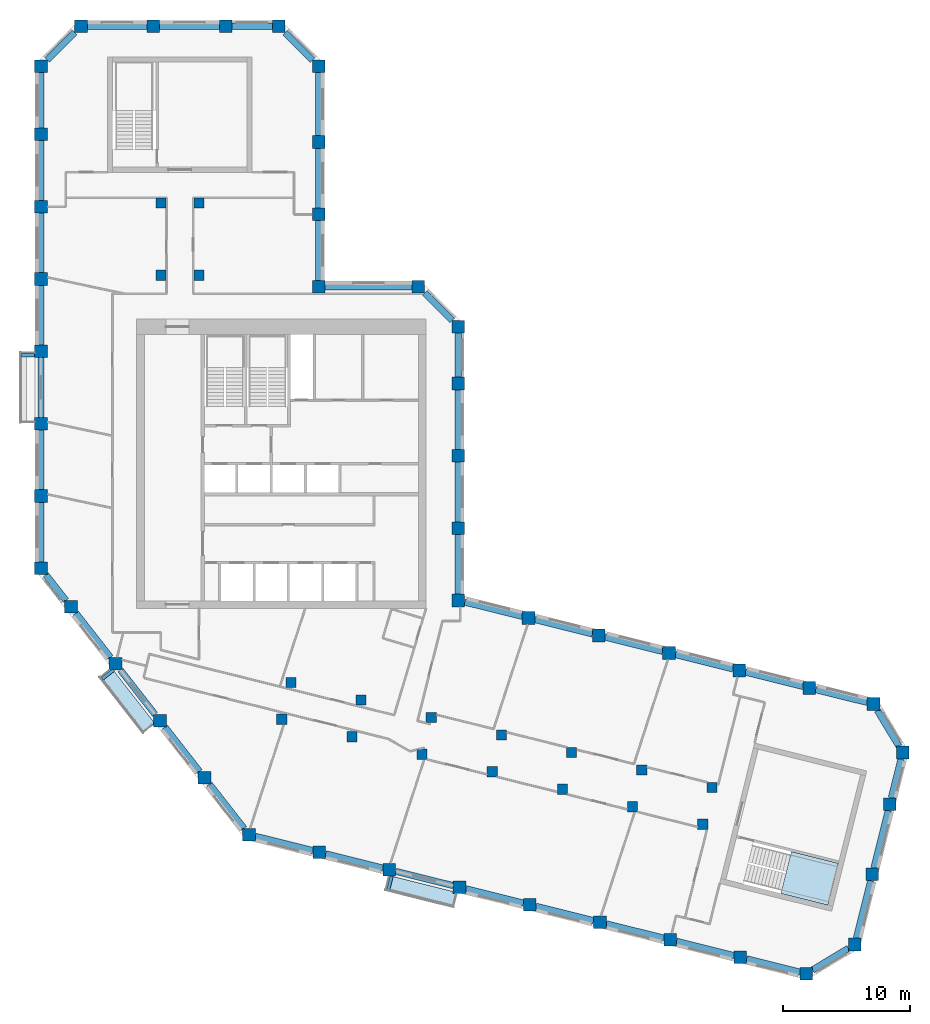
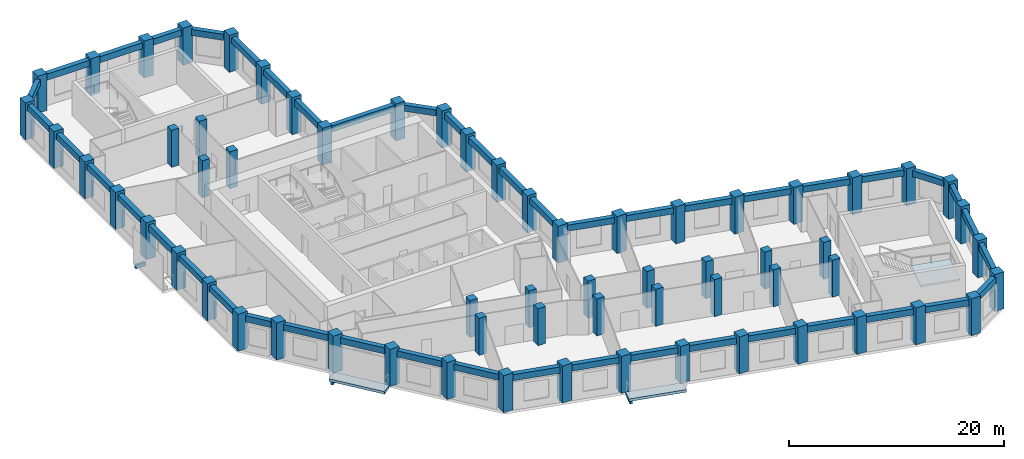
# One storey, part 1 of 9: 63 columns, 48 beams, 3 slabs, 1 element without a shape of its own.
"""IFC4 building model written with IfcOpenShell, lengths in metres."""

from ifc_helpers import new_model, si_unit, direction, frame, origin, origin_2d, place, context, subcontext, project, spatial, polyline, rectangle, outline, extrude, material, layer, layer_set, material_profile, profile_set, type_object, element, aggregate, save


model = new_model("IFC4")

# Units and contexts
model_context = context("Model", 3, precision=1e-05, world=origin(), true_north=direction((0.0, 1.0)))
body_context = subcontext(model_context, "Body", "Model", "MODEL_VIEW")
ifc_project = project(units=[si_unit("LENGTHUNIT", "METRE"), si_unit("AREAUNIT", "SQUARE_METRE"), si_unit("VOLUMEUNIT", "CUBIC_METRE"), si_unit("PLANEANGLEUNIT", "RADIAN"), si_unit("MASSUNIT", "GRAM", prefix="KILO")], contexts=[model_context])

# Site, building, storey
site_placement = place(None, origin())
site = spatial("IfcSite", under=ifc_project, at=site_placement, CompositionType="ELEMENT")
building_placement = place(site_placement, origin())
building = spatial("IfcBuilding", under=site, at=building_placement, Name="Meshkara Civic Tower", CompositionType="ELEMENT")
storey_placement = place(building_placement, frame((0.0, 0.0, 327.60009765625)))
storey = spatial("IfcBuildingStorey", under=building, at=storey_placement, Name="L75", CompositionType="ELEMENT", Elevation=327.60009765625)

# Columns
ifc_material_1 = material(Name="Concrete C60", Category="concrete")
ifc_material_profile_1 = material_profile(ifc_material_1, rectangle(XDim=0.800048828125, YDim=0.800048828125, at=origin_2d()))
ifc_profile_set_1 = profile_set([ifc_material_profile_1], Name="Concrete C60")
column_type_1 = type_object("IfcColumnType", Name="Interior column RC 800x800 C60", PredefinedType="COLUMN", material=ifc_profile_set_1)
for number, where, z_axis, x_axis, name in (
    (1, (9.89990234375, 40.35009765625, 0.0), (0.0, 0.0, 1.0), (1.0, 0.0, 0.0), "Column SA1-04 L75"),
    (2, (9.89990234375, 46.050048828125, 0.0), (0.0, 0.0, 1.0), (1.0, 0.0, 0.0), "Column SA1-05 L75"),
    (3, (12.89990234375, 40.35009765625, 0.0), (0.0, 0.0, 1.0), (1.0, 0.0, 0.0), "Column SA2-04 L75"),
    (4, (12.89990234375, 46.050048828125, 0.0), (0.0, 0.0, 1.0), (1.0, 0.0, 0.0), "Column SA2-05 L75"),
    (5, (19.424072265625, 5.360107421875, 0.0), (0.0, 0.0, 1.0), (1.0, 0.0, 0.0), "Column SB1-00 L75"),
    (6, (24.9541015625, 3.98095703125, 0.0), (0.0, 0.0, 1.0), (1.0, 0.0, 0.0), "Column SB1-01 L75"),
    (7, (30.485107421875, 2.60205078125, 0.0), (0.0, 0.0, 1.0), (1.0, 0.0, 0.0), "Column SB1-02 L75"),
    (8, (36.01611328125, 1.222900390625, 0.0), (0.0, 0.0, 1.0), (1.0, 0.0, 0.0), "Column SB1-03 L75"),
    (9, (41.5458984375, -0.156005859375, 0.0), (0.0, 0.0, 1.0), (1.0, 0.0, 0.0), "Column SB1-04 L75"),
    (10, (47.076904296875, -1.534912109375, 0.0), (0.0, 0.0, 1.0), (1.0, 0.0, 0.0), "Column SB1-05 L75"),
    (11, (52.60791015625, -2.9140625, 0.0), (0.0, 0.0, 1.0), (1.0, 0.0, 0.0), "Column SB1-06 L75"),
    (12, (20.14892578125, 8.27099609375, 0.0), (0.0, 0.0, 1.0), (1.0, 0.0, 0.0), "Column SB2-00 L75"),
    (13, (25.679931640625, 6.89208984375, 0.0), (0.0, 0.0, 1.0), (1.0, 0.0, 0.0), "Column SB2-01 L75"),
    (14, (31.2109375, 5.512939453125, 0.0), (0.0, 0.0, 1.0), (1.0, 0.0, 0.0), "Column SB2-02 L75"),
    (15, (36.741943359375, 4.134033203125, 0.0), (0.0, 0.0, 1.0), (1.0, 0.0, 0.0), "Column SB2-03 L75"),
    (16, (42.27197265625, 2.7548828125, 0.0), (0.0, 0.0, 1.0), (1.0, 0.0, 0.0), "Column SB2-04 L75"),
    (17, (47.802978515625, 1.3759765625, 0.0), (0.0, 0.0, 1.0), (1.0, 0.0, 0.0), "Column SB2-05 L75"),
    (18, (53.333984375, -0.0029296875, 0.0), (0.0, 0.0, 1.0), (1.0, 0.0, 0.0), "Column SB2-06 L75"),
):
    element("IfcColumn", number, at=place(storey_placement, frame(where, z_axis=z_axis, x_axis=x_axis)), inside=storey, type_object=column_type_1, Name=name, PredefinedType="COLUMN", context=body_context, shape_type="SweptSolid", body=[
        extrude(rectangle(XDim=0.800048828125, YDim=0.800048828125, at=origin_2d()), origin(), (0.0, 0.0, 1.0), 4.199951171875),
    ])
ifc_material_2 = material(Name="Concrete C60", Category="concrete")
ifc_material_profile_2 = material_profile(ifc_material_2, rectangle(XDim=1.0, YDim=1.0, at=origin_2d()))
ifc_profile_set_2 = profile_set([ifc_material_profile_2], Name="Concrete C60")
column_type_2 = type_object("IfcColumnType", Name="Perimeter column RC 1000x1000 C60", PredefinedType="COLUMN", material=ifc_profile_set_2)
for number, where, z_axis, x_axis, name in (
    (19, (33.35009765625, 14.718994140625, 0.0), (0.0, 0.0, 1.0), (1.0, 0.0, 0.0), "Column HE00 L75"),
    (20, (33.35009765625, 20.4189453125, 0.0), (0.0, 0.0, 1.0), (1.0, 0.0, 0.0), "Column HE01 L75"),
    (21, (33.35009765625, 26.118896484375, 0.0), (0.0, 0.0, 1.0), (1.0, 0.0, 0.0), "Column HE02 L75"),
    (22, (33.35009765625, 31.819091796875, 0.0), (0.0, 0.0, 1.0), (1.0, 0.0, 0.0), "Column HE03 L75"),
    (23, (33.35009765625, 36.2939453125, 0.0), (0.0, 0.0, 1.0), (1.0, 0.0, 0.0), "Column HEE L75"),
    (24, (30.194091796875, 39.449951171875, 0.0), (0.0, 0.0, 1.0), (1.0, 0.0, 0.0), "Column HCeE L75"),
    (25, (22.35009765625, 39.449951171875, 0.0), (0.0, 0.0, 1.0), (1.0, 0.0, 0.0), "Column HN00 L75"),
    (26, (22.35009765625, 45.14990234375, 0.0), (0.0, 0.0, 1.0), (1.0, 0.0, 0.0), "Column AE01 L75"),
    (27, (22.35009765625, 50.85009765625, 0.0), (0.0, 0.0, 1.0), (1.0, 0.0, 0.0), "Column AE02 L75"),
    (28, (22.35009765625, 56.81396484375, 0.0), (0.0, 0.0, 1.0), (1.0, 0.0, 0.0), "Column AEEP4 L75"),
    (29, (19.194091796875, 59.969970703125, 0.0), (0.0, 0.0, 1.0), (1.0, 0.0, 0.0), "Column ATiEP4 L75"),
    (30, (3.60595703125, 59.969970703125, 0.0), (0.0, 0.0, 1.0), (1.0, 0.0, 0.0), "Column AT00-P4 L75"),
    (31, (9.305908203125, 59.969970703125, 0.0), (0.0, 0.0, 1.0), (1.0, 0.0, 0.0), "Column AT01-P4 L75"),
    (32, (15.006103515625, 59.969970703125, 0.0), (0.0, 0.0, 1.0), (1.0, 0.0, 0.0), "Column AT02-P4 L75"),
    (33, (0.449951171875, 56.81396484375, 0.0), (0.0, 0.0, 1.0), (1.0, 0.0, 0.0), "Column ATo00-P4 L75"),
    (34, (0.449951171875, 17.2548828125, 0.0), (0.0, 0.0, 1.0), (1.0, 0.0, 0.0), "Column AW00 L75"),
    (35, (0.449951171875, 22.955078125, 0.0), (0.0, 0.0, 1.0), (1.0, 0.0, 0.0), "Column AW01 L75"),
    (36, (0.449951171875, 28.655029296875, 0.0), (0.0, 0.0, 1.0), (1.0, 0.0, 0.0), "Column AW02 L75"),
    (37, (0.449951171875, 34.35498046875, 0.0), (0.0, 0.0, 1.0), (1.0, 0.0, 0.0), "Column AW03 L75"),
    (38, (0.449951171875, 40.054931640625, 0.0), (0.0, 0.0, 1.0), (1.0, 0.0, 0.0), "Column AW04 L75"),
    (39, (0.449951171875, 45.7548828125, 0.0), (0.0, 0.0, 1.0), (1.0, 0.0, 0.0), "Column AW05 L75"),
    (40, (0.449951171875, 51.455078125, 0.0), (0.0, 0.0, 1.0), (1.0, 0.0, 0.0), "Column AW06 L75"),
    (41, (16.85107421875, -3.738037109375, 0.0), (0.0, 0.0, 1.0), (1.0, 0.0, 0.0), "Column BOW00 L75"),
    (42, (13.342041015625, 0.75390625, 0.0), (0.0, 0.0, 1.0), (1.0, 0.0, 0.0), "Column BOW01 L75"),
    (43, (9.8330078125, 5.2451171875, 0.0), (0.0, 0.0, 1.0), (1.0, 0.0, 0.0), "Column BOW02 L75"),
    (44, (6.322998046875, 9.737060546875, 0.0), (0.0, 0.0, 1.0), (1.0, 0.0, 0.0), "Column BOW03 L75"),
    (45, (2.81396484375, 14.22900390625, 0.0), (0.0, 0.0, 1.0), (1.0, 0.0, 0.0), "Column BOW04 L75"),
    (46, (22.382080078125, -5.116943359375, 0.0), (0.0, 0.0, 1.0), (1.0, 0.0, 0.0), "Column BS01 L75"),
    (47, (27.912109375, -6.49609375, 0.0), (0.0, 0.0, 1.0), (1.0, 0.0, 0.0), "Column BS02 L75"),
    (48, (33.443115234375, -7.875, 0.0), (0.0, 0.0, 1.0), (1.0, 0.0, 0.0), "Column BS03 L75"),
    (49, (38.97412109375, -9.25390625, 0.0), (0.0, 0.0, 1.0), (1.0, 0.0, 0.0), "Column BS04 L75"),
    (50, (44.50390625, -10.633056640625, 0.0), (0.0, 0.0, 1.0), (1.0, 0.0, 0.0), "Column BS05-P4 L75"),
    (51, (50.034912109375, -12.011962890625, 0.0), (0.0, 0.0, 1.0), (1.0, 0.0, 0.0), "Column BS06-P4 L75"),
    (52, (55.56591796875, -13.389892578125, 0.0), (0.0, 0.0, 1.0), (1.0, 0.0, 0.0), "Column BS07 L75"),
    (53, (60.76611328125, -14.68701171875, 0.0), (0.0, 0.0, 1.0), (1.0, 0.0, 0.0), "Column BSEP4 L75"),
    (54, (64.591064453125, -12.386962890625, 0.0), (0.0, 0.0, 1.0), (1.0, 0.0, 0.0), "Column BToEP4 L75"),
    (55, (65.969970703125, -6.85595703125, 0.0), (0.0, 0.0, 1.0), (1.0, 0.0, 0.0), "Column BT01-P4 L75"),
    (56, (67.34912109375, -1.325927734375, 0.0), (0.0, 0.0, 1.0), (1.0, 0.0, 0.0), "Column BT02-P4 L75"),
    (57, (68.362060546875, 2.736083984375, 0.0), (0.0, 0.0, 1.0), (1.0, 0.0, 0.0), "Column BTEP4 L75"),
    (58, (66.06298828125, 6.56201171875, 0.0), (0.0, 0.0, 1.0), (1.0, 0.0, 0.0), "Column BTi00-P4 L75"),
    (59, (38.881103515625, 13.340087890625, 0.0), (0.0, 0.0, 1.0), (1.0, 0.0, 0.0), "Column BN01 L75"),
    (60, (44.410888671875, 11.9609375, 0.0), (0.0, 0.0, 1.0), (1.0, 0.0, 0.0), "Column BN02 L75"),
    (61, (49.94189453125, 10.58203125, 0.0), (0.0, 0.0, 1.0), (1.0, 0.0, 0.0), "Column BN03 L75"),
    (62, (55.472900390625, 9.202880859375, 0.0), (0.0, 0.0, 1.0), (1.0, 0.0, 0.0), "Column BN04 L75"),
    (63, (61.0029296875, 7.823974609375, 0.0), (0.0, 0.0, 1.0), (1.0, 0.0, 0.0), "Column BN05 L75"),
):
    element("IfcColumn", number, at=place(storey_placement, frame(where, z_axis=z_axis, x_axis=x_axis)), inside=storey, type_object=column_type_2, Name=name, PredefinedType="COLUMN", context=body_context, shape_type="SweptSolid", body=[
        extrude(rectangle(XDim=1.0, YDim=1.0, at=origin_2d()), origin(), (0.0, 0.0, 1.0), 4.199951171875),
    ])

# Beams
ifc_material_3 = material(Name="Concrete C50", Category="concrete")
ifc_material_profile_3 = material_profile(ifc_material_3, rectangle(XDim=0.25, YDim=0.39990234375, at=origin_2d()))
ifc_profile_set_3 = profile_set([ifc_material_profile_3], Name="Concrete C50")
beam_type_1 = type_object("IfcBeamType", Name="Balcony bracket beam RC 250x400 C50", PredefinedType="BEAM", material=ifc_profile_set_3)
beam_1_placement = place(storey_placement, frame((-0.044921875, 34.054931640625, -0.5), z_axis=(-1.0, 0.0, 0.0), x_axis=(0.0, -1.0, 0.0)))
element("IfcBeam", 64, at=beam_1_placement, inside=storey, type_object=beam_type_1, Name="Balcony bracket beam", PredefinedType="BEAM", context=body_context, shape_type="SweptSolid", body=[
    extrude(rectangle(XDim=0.25, YDim=0.39990234375, at=origin_2d()), origin(), (0.0, 0.0, 1.0), 1.05517578125),
])
beam_2_placement = place(storey_placement, frame((6.174072265625, 9.239990234375, -0.5), z_axis=(-0.788053970136, -0.615606156688, 0.0), x_axis=(0.615606156688, -0.788053970136, 0.0)))
element("IfcBeam", 65, at=beam_2_placement, inside=storey, type_object=beam_type_1, Name="Balcony bracket beam", PredefinedType="BEAM", context=body_context, shape_type="SweptSolid", body=[
    extrude(rectangle(XDim=0.25, YDim=0.39990234375, at=origin_2d()), origin(), (0.0, 0.0, 1.0), 1.12548828125),
])
beam_3_placement = place(storey_placement, frame((28.097900390625, -6.990966796875, -0.5), z_axis=(-0.242329403705, -0.970194032192, 0.0), x_axis=(0.970194032192, -0.242329403705, 0.0)))
element("IfcBeam", 66, at=beam_3_placement, inside=storey, type_object=beam_type_1, Name="Balcony bracket beam", PredefinedType="BEAM", context=body_context, shape_type="SweptSolid", body=[
    extrude(rectangle(XDim=0.25, YDim=0.39990234375, at=origin_2d()), origin(), (0.0, 0.0, 1.0), 1.1142578125),
])
ifc_material_4 = material(Name="Concrete C50", Category="concrete")
ifc_material_profile_4 = material_profile(ifc_material_4, rectangle(XDim=0.5, YDim=0.699951171875, at=origin_2d()))
ifc_profile_set_4 = profile_set([ifc_material_profile_4], Name="Concrete C50")
beam_type_2 = type_object("IfcBeamType", Name="Spandrel beam RC 500x700 C50", PredefinedType="BEAM", material=ifc_profile_set_4)
beam_4_placement = place(storey_placement, frame((60.5078125, 7.947509765625, 3.5498046875), z_axis=(-0.970286590806, 0.241958533023, 0.0), x_axis=(-0.241958533023, -0.970286590806, 0.0)))
element("IfcBeam", 67, at=beam_4_placement, inside=storey, type_object=beam_type_2, Name="Spandrel beam BN04-BN05", PredefinedType="BEAM", context=body_context, shape_type="SweptSolid", body=[
    extrude(rectangle(XDim=0.5, YDim=0.699951171875, at=origin_2d()), origin(), (0.0, 0.0, 1.0), 4.6787109375),
])
beam_5_placement = place(storey_placement, frame((54.977783203125, 9.326416015625, 3.5498046875), z_axis=(-0.970298806378, 0.241909541651, 0.0), x_axis=(-0.241909541651, -0.970298806378, 0.0)))
element("IfcBeam", 68, at=beam_5_placement, inside=storey, type_object=beam_type_2, Name="Spandrel beam BN03-BN04", PredefinedType="BEAM", context=body_context, shape_type="SweptSolid", body=[
    extrude(rectangle(XDim=0.5, YDim=0.699951171875, at=origin_2d()), origin(), (0.0, 0.0, 1.0), 4.6796875),
])
beam_6_placement = place(storey_placement, frame((49.447021484375, 10.70556640625, 3.5498046875), z_axis=(-0.970314102262, 0.241848181618, 0.0), x_axis=(-0.241848181618, -0.970314102262, 0.0)))
element("IfcBeam", 69, at=beam_6_placement, inside=storey, type_object=beam_type_2, Name="Spandrel beam BN02-BN03", PredefinedType="BEAM", context=body_context, shape_type="SweptSolid", body=[
    extrude(rectangle(XDim=0.5, YDim=0.699951171875, at=origin_2d()), origin(), (0.0, 0.0, 1.0), 4.679931640625),
])
beam_7_placement = place(storey_placement, frame((43.916015625, 12.08447265625, 3.5498046875), z_axis=(-0.970286590806, 0.241958533023, 0.0), x_axis=(-0.241958533023, -0.970286590806, 0.0)))
element("IfcBeam", 70, at=beam_7_placement, inside=storey, type_object=beam_type_2, Name="Spandrel beam BN01-BN02", PredefinedType="BEAM", context=body_context, shape_type="SweptSolid", body=[
    extrude(rectangle(XDim=0.5, YDim=0.699951171875, at=origin_2d()), origin(), (0.0, 0.0, 1.0), 4.6787109375),
])
beam_8_placement = place(storey_placement, frame((38.385986328125, 13.46337890625, 3.5498046875), z_axis=(-0.970298806378, 0.241909541651, 0.0), x_axis=(-0.241909541651, -0.970298806378, 0.0)))
element("IfcBeam", 71, at=beam_8_placement, inside=storey, type_object=beam_type_2, Name="Spandrel beam BN01-HE00", PredefinedType="BEAM", context=body_context, shape_type="SweptSolid", body=[
    extrude(rectangle(XDim=0.5, YDim=0.699951171875, at=origin_2d()), origin(), (0.0, 0.0, 1.0), 4.6796875),
])
for number, where, z_axis, x_axis, name in (
    (72, (33.35009765625, 15.214111328125, 3.5498046875), (0.0, 1.0, 0.0), (-1.0, 0.0, 0.0), "Spandrel beam HE00-HE01"),
    (73, (33.35009765625, 20.9140625, 3.5498046875), (0.0, 1.0, 0.0), (-1.0, 0.0, 0.0), "Spandrel beam HE01-HE02"),
    (74, (33.35009765625, 26.614013671875, 3.5498046875), (0.0, 1.0, 0.0), (-1.0, 0.0, 0.0), "Spandrel beam HE02-HE03"),
):
    element("IfcBeam", number, at=place(storey_placement, frame(where, z_axis=z_axis, x_axis=x_axis)), inside=storey, type_object=beam_type_2, Name=name, PredefinedType="BEAM", context=body_context, shape_type="SweptSolid", body=[
        extrude(rectangle(XDim=0.5, YDim=0.699951171875, at=origin_2d()), origin(), (0.0, 0.0, 1.0), 4.7099609375),
    ])
beam_9_placement = place(storey_placement, frame((33.35009765625, 32.31396484375, 3.5498046875), z_axis=(0.0, 1.0, 0.0), x_axis=(-1.0, 0.0, 0.0)))
element("IfcBeam", 75, at=beam_9_placement, inside=storey, type_object=beam_type_2, Name="Spandrel beam HE03-HEE", PredefinedType="BEAM", context=body_context, shape_type="SweptSolid", body=[
    extrude(rectangle(XDim=0.5, YDim=0.699951171875, at=origin_2d()), origin(), (0.0, 0.0, 1.0), 3.485107421875),
])
beam_10_placement = place(storey_placement, frame((32.853515625, 36.79052734375, 3.5498046875), z_axis=(-0.707106781187, 0.707106781187, 0.0), x_axis=(-0.707106781187, -0.707106781187, 0.0)))
element("IfcBeam", 76, at=beam_10_placement, inside=storey, type_object=beam_type_2, Name="Spandrel beam HCeE-HEE", PredefinedType="BEAM", context=body_context, shape_type="SweptSolid", body=[
    extrude(rectangle(XDim=0.5, YDim=0.699951171875, at=origin_2d()), origin(), (0.0, 0.0, 1.0), 3.05908203125),
])
beam_11_placement = place(storey_placement, frame((29.698974609375, 39.449951171875, 3.5498046875), z_axis=(-1.0, 0.0, 0.0), x_axis=(0.0, -1.0, 0.0)))
element("IfcBeam", 77, at=beam_11_placement, inside=storey, type_object=beam_type_2, Name="Spandrel beam HCeE-HN00", PredefinedType="BEAM", context=body_context, shape_type="SweptSolid", body=[
    extrude(rectangle(XDim=0.5, YDim=0.699951171875, at=origin_2d()), origin(), (0.0, 0.0, 1.0), 6.85400390625),
])
for number, where, z_axis, x_axis, name in (
    (78, (22.35009765625, 39.945068359375, 3.5498046875), (0.0, 1.0, 0.0), (-1.0, 0.0, 0.0), "Spandrel beam AE01-HN00"),
    (79, (22.35009765625, 45.64501953125, 3.5498046875), (0.0, 1.0, 0.0), (-1.0, 0.0, 0.0), "Spandrel beam AE01-AE02"),
):
    element("IfcBeam", number, at=place(storey_placement, frame(where, z_axis=z_axis, x_axis=x_axis)), inside=storey, type_object=beam_type_2, Name=name, PredefinedType="BEAM", context=body_context, shape_type="SweptSolid", body=[
        extrude(rectangle(XDim=0.5, YDim=0.699951171875, at=origin_2d()), origin(), (0.0, 0.0, 1.0), 4.7099609375),
    ])
beam_12_placement = place(storey_placement, frame((22.35009765625, 51.344970703125, 3.5498046875), z_axis=(0.0, 1.0, 0.0), x_axis=(-1.0, 0.0, 0.0)))
element("IfcBeam", 80, at=beam_12_placement, inside=storey, type_object=beam_type_2, Name="Spandrel beam AE02-AEEP4", PredefinedType="BEAM", context=body_context, shape_type="SweptSolid", body=[
    extrude(rectangle(XDim=0.5, YDim=0.699951171875, at=origin_2d()), origin(), (0.0, 0.0, 1.0), 4.97412109375),
])
beam_13_placement = place(storey_placement, frame((21.853515625, 57.310546875, 3.5498046875), z_axis=(-0.707146686758, 0.707066873363, 0.0), x_axis=(-0.707066873363, -0.707146686758, 0.0)))
element("IfcBeam", 81, at=beam_13_placement, inside=storey, type_object=beam_type_2, Name="Spandrel beam AEEP4-ATiEP4", PredefinedType="BEAM", context=body_context, shape_type="SweptSolid", body=[
    extrude(rectangle(XDim=0.5, YDim=0.699951171875, at=origin_2d()), origin(), (0.0, 0.0, 1.0), 3.058837890625),
])
beam_14_placement = place(storey_placement, frame((18.698974609375, 59.969970703125, 3.5498046875), z_axis=(-1.0, 0.0, 0.0), x_axis=(0.0, -1.0, 0.0)))
element("IfcBeam", 82, at=beam_14_placement, inside=storey, type_object=beam_type_2, Name="Spandrel beam AT02-P4-ATiEP4", PredefinedType="BEAM", context=body_context, shape_type="SweptSolid", body=[
    extrude(rectangle(XDim=0.5, YDim=0.699951171875, at=origin_2d()), origin(), (0.0, 0.0, 1.0), 3.197998046875),
])
for number, where, z_axis, x_axis, name in (
    (83, (14.510986328125, 59.969970703125, 3.5498046875), (-1.0, 0.0, 0.0), (0.0, -1.0, 0.0), "Spandrel beam AT01-P4-AT02-P4"),
    (84, (8.81103515625, 59.969970703125, 3.5498046875), (-1.0, 0.0, 0.0), (0.0, -1.0, 0.0), "Spandrel beam AT00-P4-AT01-P4"),
):
    element("IfcBeam", number, at=place(storey_placement, frame(where, z_axis=z_axis, x_axis=x_axis)), inside=storey, type_object=beam_type_2, Name=name, PredefinedType="BEAM", context=body_context, shape_type="SweptSolid", body=[
        extrude(rectangle(XDim=0.5, YDim=0.699951171875, at=origin_2d()), origin(), (0.0, 0.0, 1.0), 4.7099609375),
    ])
beam_15_placement = place(storey_placement, frame((3.109619140625, 59.473388671875, 3.5498046875), z_axis=(-0.707146686758, -0.707066873363, 0.0), x_axis=(0.707066873363, -0.707146686758, 0.0)))
element("IfcBeam", 85, at=beam_15_placement, inside=storey, type_object=beam_type_2, Name="Spandrel beam AT00-P4-ATo00-P4", PredefinedType="BEAM", context=body_context, shape_type="SweptSolid", body=[
    extrude(rectangle(XDim=0.5, YDim=0.699951171875, at=origin_2d()), origin(), (0.0, 0.0, 1.0), 3.058837890625),
])
beam_16_placement = place(storey_placement, frame((0.449951171875, 56.319091796875, 3.5498046875), z_axis=(0.0, -1.0, 0.0), x_axis=(1.0, 0.0, 0.0)))
element("IfcBeam", 86, at=beam_16_placement, inside=storey, type_object=beam_type_2, Name="Spandrel beam ATo00-P4-AW06", PredefinedType="BEAM", context=body_context, shape_type="SweptSolid", body=[
    extrude(rectangle(XDim=0.5, YDim=0.699951171875, at=origin_2d()), origin(), (0.0, 0.0, 1.0), 4.369140625),
])
for number, where, z_axis, x_axis, name in (
    (87, (0.449951171875, 50.9599609375, 3.5498046875), (0.0, -1.0, 0.0), (1.0, 0.0, 0.0), "Spandrel beam AW05-AW06"),
    (88, (0.449951171875, 45.260009765625, 3.5498046875), (0.0, -1.0, 0.0), (1.0, 0.0, 0.0), "Spandrel beam AW04-AW05"),
    (89, (0.449951171875, 39.56005859375, 3.5498046875), (0.0, -1.0, 0.0), (1.0, 0.0, 0.0), "Spandrel beam AW03-AW04"),
):
    element("IfcBeam", number, at=place(storey_placement, frame(where, z_axis=z_axis, x_axis=x_axis)), inside=storey, type_object=beam_type_2, Name=name, PredefinedType="BEAM", context=body_context, shape_type="SweptSolid", body=[
        extrude(rectangle(XDim=0.5, YDim=0.699951171875, at=origin_2d()), origin(), (0.0, 0.0, 1.0), 4.7099609375),
    ])
beam_17_placement = place(storey_placement, frame((0.449951171875, 33.860107421875, 3.5498046875), z_axis=(0.0, -1.0, 0.0), x_axis=(1.0, 0.0, 0.0)))
element("IfcBeam", 90, at=beam_17_placement, inside=storey, type_object=beam_type_2, Name="Spandrel beam AW02-AW03", PredefinedType="BEAM", context=body_context, shape_type="SweptSolid", body=[
    extrude(rectangle(XDim=0.5, YDim=0.699951171875, at=origin_2d()), origin(), (0.0, 0.0, 1.0), 4.710205078125),
])
for number, where, z_axis, x_axis, name in (
    (91, (0.449951171875, 28.159912109375, 3.5498046875), (0.0, -1.0, 0.0), (1.0, 0.0, 0.0), "Spandrel beam AW01-AW02"),
    (92, (0.449951171875, 22.4599609375, 3.5498046875), (0.0, -1.0, 0.0), (1.0, 0.0, 0.0), "Spandrel beam AW00-AW01"),
):
    element("IfcBeam", number, at=place(storey_placement, frame(where, z_axis=z_axis, x_axis=x_axis)), inside=storey, type_object=beam_type_2, Name=name, PredefinedType="BEAM", context=body_context, shape_type="SweptSolid", body=[
        extrude(rectangle(XDim=0.5, YDim=0.699951171875, at=origin_2d()), origin(), (0.0, 0.0, 1.0), 4.7099609375),
    ])
beam_18_placement = place(storey_placement, frame((0.83740234375, 16.7587890625, 3.5498046875), z_axis=(0.615713794912, -0.787969874269, 0.0), x_axis=(0.787969874269, 0.615713794912, 0.0)))
element("IfcBeam", 93, at=beam_18_placement, inside=storey, type_object=beam_type_2, Name="Spandrel beam AW00-BOW04", PredefinedType="BEAM", context=body_context, shape_type="SweptSolid", body=[
    extrude(rectangle(XDim=0.5, YDim=0.699951171875, at=origin_2d()), origin(), (0.0, 0.0, 1.0), 2.580810546875),
])
beam_19_placement = place(storey_placement, frame((3.201416015625, 13.73291015625, 3.5498046875), z_axis=(0.615636574491, -0.788030207637, 0.0), x_axis=(0.788030207637, 0.615636574491, 0.0)))
element("IfcBeam", 94, at=beam_19_placement, inside=storey, type_object=beam_type_2, Name="Spandrel beam BOW03-BOW04", PredefinedType="BEAM", context=body_context, shape_type="SweptSolid", body=[
    extrude(rectangle(XDim=0.5, YDim=0.699951171875, at=origin_2d()), origin(), (0.0, 0.0, 1.0), 4.441162109375),
])
beam_20_placement = place(storey_placement, frame((6.710693359375, 9.240966796875, 3.5498046875), z_axis=(0.615704842432, -0.787976869588, 0.0), x_axis=(0.787976869588, 0.615704842432, 0.0)))
element("IfcBeam", 95, at=beam_20_placement, inside=storey, type_object=beam_type_2, Name="Spandrel beam BOW02-BOW03", PredefinedType="BEAM", context=body_context, shape_type="SweptSolid", body=[
    extrude(rectangle(XDim=0.5, YDim=0.699951171875, at=origin_2d()), origin(), (0.0, 0.0, 1.0), 4.44140625),
])
beam_21_placement = place(storey_placement, frame((10.220703125, 4.748779296875, 3.5498046875), z_axis=(0.615674985547, -0.788000198078, 0.0), x_axis=(0.788000198078, 0.615674985547, 0.0)))
element("IfcBeam", 96, at=beam_21_placement, inside=storey, type_object=beam_type_2, Name="Spandrel beam BOW01-BOW02", PredefinedType="BEAM", context=body_context, shape_type="SweptSolid", body=[
    extrude(rectangle(XDim=0.5, YDim=0.699951171875, at=origin_2d()), origin(), (0.0, 0.0, 1.0), 4.440185546875),
])
beam_22_placement = place(storey_placement, frame((13.7294921875, 0.2578125, 3.5498046875), z_axis=(0.615602435322, -0.788056877151, 0.0), x_axis=(0.788056877151, 0.615602435322, 0.0)))
element("IfcBeam", 97, at=beam_22_placement, inside=storey, type_object=beam_type_2, Name="Spandrel beam BOW00-BOW01", PredefinedType="BEAM", context=body_context, shape_type="SweptSolid", body=[
    extrude(rectangle(XDim=0.5, YDim=0.699951171875, at=origin_2d()), origin(), (0.0, 0.0, 1.0), 4.44091796875),
])
beam_23_placement = place(storey_placement, frame((17.34619140625, -3.861572265625, 3.5498046875), z_axis=(0.970311050729, -0.24186042428, 0.0), x_axis=(0.24186042428, 0.970311050729, 0.0)))
element("IfcBeam", 98, at=beam_23_placement, inside=storey, type_object=beam_type_2, Name="Spandrel beam BOW00-BS01", PredefinedType="BEAM", context=body_context, shape_type="SweptSolid", body=[
    extrude(rectangle(XDim=0.5, YDim=0.699951171875, at=origin_2d()), origin(), (0.0, 0.0, 1.0), 4.6796875),
])
beam_24_placement = place(storey_placement, frame((22.877197265625, -5.240478515625, 3.5498046875), z_axis=(0.970286590806, -0.241958533023, 0.0), x_axis=(0.241958533023, 0.970286590806, 0.0)))
element("IfcBeam", 99, at=beam_24_placement, inside=storey, type_object=beam_type_2, Name="Spandrel beam BS01-BS02", PredefinedType="BEAM", context=body_context, shape_type="SweptSolid", body=[
    extrude(rectangle(XDim=0.5, YDim=0.699951171875, at=origin_2d()), origin(), (0.0, 0.0, 1.0), 4.6787109375),
])
for number, where, z_axis, x_axis, name in (
    (100, (28.406982421875, -6.619384765625, 3.5498046875), (0.970301859111, -0.241897296812, 0.0), (0.241897296812, 0.970301859111, 0.0), "Spandrel beam BS02-BS03"),
    (101, (33.93798828125, -7.99853515625, 3.5498046875), (0.970301859111, -0.241897296812, 0.0), (0.241897296812, 0.970301859111, 0.0), "Spandrel beam BS03-BS04"),
):
    element("IfcBeam", number, at=place(storey_placement, frame(where, z_axis=z_axis, x_axis=x_axis)), inside=storey, type_object=beam_type_2, Name=name, PredefinedType="BEAM", context=body_context, shape_type="SweptSolid", body=[
        extrude(rectangle(XDim=0.5, YDim=0.699951171875, at=origin_2d()), origin(), (0.0, 0.0, 1.0), 4.679931640625),
    ])
beam_25_placement = place(storey_placement, frame((39.468994140625, -9.37744140625, 3.5498046875), z_axis=(0.970286590806, -0.241958533023, 0.0), x_axis=(0.241958533023, 0.970286590806, 0.0)))
element("IfcBeam", 102, at=beam_25_placement, inside=storey, type_object=beam_type_2, Name="Spandrel beam BS04-BS05-P4", PredefinedType="BEAM", context=body_context, shape_type="SweptSolid", body=[
    extrude(rectangle(XDim=0.5, YDim=0.699951171875, at=origin_2d()), origin(), (0.0, 0.0, 1.0), 4.6787109375),
])
beam_26_placement = place(storey_placement, frame((44.9990234375, -10.756591796875, 3.5498046875), z_axis=(0.970311050729, -0.24186042428, 0.0), x_axis=(0.24186042428, 0.970311050729, 0.0)))
element("IfcBeam", 103, at=beam_26_placement, inside=storey, type_object=beam_type_2, Name="Spandrel beam BS05-P4-BS06-P4", PredefinedType="BEAM", context=body_context, shape_type="SweptSolid", body=[
    extrude(rectangle(XDim=0.5, YDim=0.699951171875, at=origin_2d()), origin(), (0.0, 0.0, 1.0), 4.6796875),
])
beam_27_placement = place(storey_placement, frame((50.530029296875, -12.135498046875, 3.5498046875), z_axis=(0.970347770718, -0.241713061011, 0.0), x_axis=(0.241713061011, 0.970347770718, 0.0)))
element("IfcBeam", 104, at=beam_27_placement, inside=storey, type_object=beam_type_2, Name="Spandrel beam BS06-P4-BS07", PredefinedType="BEAM", context=body_context, shape_type="SweptSolid", body=[
    extrude(rectangle(XDim=0.5, YDim=0.699951171875, at=origin_2d()), origin(), (0.0, 0.0, 1.0), 4.679443359375),
])
beam_28_placement = place(storey_placement, frame((56.06103515625, -13.513427734375, 3.5498046875), z_axis=(0.970274749447, -0.242006013533, 0.0), x_axis=(0.242006013533, 0.970274749447, 0.0)))
element("IfcBeam", 105, at=beam_28_placement, inside=storey, type_object=beam_type_2, Name="Spandrel beam BS07-BSEP4", PredefinedType="BEAM", context=body_context, shape_type="SweptSolid", body=[
    extrude(rectangle(XDim=0.5, YDim=0.699951171875, at=origin_2d()), origin(), (0.0, 0.0, 1.0), 4.3388671875),
])
beam_29_placement = place(storey_placement, frame((61.26171875, -14.388916015625, 3.5498046875), z_axis=(0.856990838189, 0.515331643953, 0.0), x_axis=(-0.515331643953, 0.856990838189, 0.0)))
element("IfcBeam", 106, at=beam_29_placement, inside=storey, type_object=beam_type_2, Name="Spandrel beam BSEP4-BToEP4", PredefinedType="BEAM", context=body_context, shape_type="SweptSolid", body=[
    extrude(rectangle(XDim=0.5, YDim=0.699951171875, at=origin_2d()), origin(), (0.0, 0.0, 1.0), 3.306396484375),
])
beam_30_placement = place(storey_placement, frame((64.714599609375, -11.891845703125, 3.5498046875), z_axis=(0.24186042428, 0.970311050729, 0.0), x_axis=(-0.970311050729, 0.24186042428, 0.0)))
element("IfcBeam", 107, at=beam_30_placement, inside=storey, type_object=beam_type_2, Name="Spandrel beam BT01-P4-BToEP4", PredefinedType="BEAM", context=body_context, shape_type="SweptSolid", body=[
    extrude(rectangle(XDim=0.5, YDim=0.699951171875, at=origin_2d()), origin(), (0.0, 0.0, 1.0), 4.6796875),
])
beam_31_placement = place(storey_placement, frame((66.093505859375, -6.36083984375, 3.5498046875), z_axis=(0.241958533023, 0.970286590806, 0.0), x_axis=(-0.970286590806, 0.241958533023, 0.0)))
element("IfcBeam", 108, at=beam_31_placement, inside=storey, type_object=beam_type_2, Name="Spandrel beam BT01-P4-BT02-P4", PredefinedType="BEAM", context=body_context, shape_type="SweptSolid", body=[
    extrude(rectangle(XDim=0.5, YDim=0.699951171875, at=origin_2d()), origin(), (0.0, 0.0, 1.0), 4.6787109375),
])
beam_32_placement = place(storey_placement, frame((67.472412109375, -0.830810546875, 3.5498046875), z_axis=(0.241991235859, 0.970278435176, 0.0), x_axis=(-0.970278435176, 0.241991235859, 0.0)))
element("IfcBeam", 109, at=beam_32_placement, inside=storey, type_object=beam_type_2, Name="Spandrel beam BT02-P4-BTEP4", PredefinedType="BEAM", context=body_context, shape_type="SweptSolid", body=[
    extrude(rectangle(XDim=0.5, YDim=0.699951171875, at=origin_2d()), origin(), (0.0, 0.0, 1.0), 3.165771484375),
])
beam_33_placement = place(storey_placement, frame((68.064208984375, 3.231689453125, 3.5498046875), z_axis=(-0.515060169575, 0.8571540245, 0.0), x_axis=(-0.8571540245, -0.515060169575, 0.0)))
element("IfcBeam", 110, at=beam_33_placement, inside=storey, type_object=beam_type_2, Name="Spandrel beam BTEP4-BTi00-P4", PredefinedType="BEAM", context=body_context, shape_type="SweptSolid", body=[
    extrude(rectangle(XDim=0.5, YDim=0.699951171875, at=origin_2d()), origin(), (0.0, 0.0, 1.0), 3.30712890625),
])
beam_34_placement = place(storey_placement, frame((65.56787109375, 6.685546875, 3.5498046875), z_axis=(-0.970286131512, 0.241960374847, 0.0), x_axis=(-0.241960374847, -0.970286131512, 0.0)))
element("IfcBeam", 111, at=beam_34_placement, inside=storey, type_object=beam_type_2, Name="Spandrel beam BN05-BTi00-P4", PredefinedType="BEAM", context=body_context, shape_type="SweptSolid", body=[
    extrude(rectangle(XDim=0.5, YDim=0.699951171875, at=origin_2d()), origin(), (0.0, 0.0, 1.0), 4.1943359375),
])

# Slabs
ifc_material_5 = material(Name="Concrete C40", Category="concrete")
ifc_layer_1 = layer(ifc_material_5, 0.300048828125)
ifc_layer_set_1 = layer_set([ifc_layer_1], Name="BALCONY SLAB")
slab_type_1 = type_object("IfcSlabType", Name="BALCONY SLAB", PredefinedType="FLOOR", material=ifc_layer_set_1)
slab_1_placement = place(storey_placement, frame((0.0, 0.0, -0.300048828125)))
element("IfcSlab", 112, at=slab_1_placement, inside=storey, type_object=slab_type_1, Name="Balcony slab", PredefinedType="FLOOR", context=body_context, shape_type="SweptSolid", body=[
    extrude(outline(polyline([(8.49609375, 4.27587890625), (5.06005859375, 8.674072265625), (5.822998046875, 9.27001953125), (5.822998046875, 9.237060546875), (6.14306640625, 9.237060546875), (9.3330078125, 5.154052734375), (9.3330078125, 4.930908203125), (8.49609375, 4.27587890625)])), origin(), (0.0, 0.0, 1.0), 0.300048828125),
])
slab_2_placement = place(storey_placement, frame((0.0, 0.0, -0.300048828125)))
element("IfcSlab", 113, at=slab_2_placement, inside=storey, type_object=slab_type_1, Name="Balcony slab", PredefinedType="FLOOR", context=body_context, shape_type="SweptSolid", body=[
    extrude(outline(polyline([(32.986083984375, -9.4609375), (27.571044921875, -8.111083984375), (27.84912109375, -6.99609375), (28.05908203125, -6.99609375), (32.943115234375, -8.214111328125), (32.943115234375, -8.375), (33.256103515625, -8.375), (32.986083984375, -9.4609375)])), origin(), (0.0, 0.0, 1.0), 0.300048828125),
])

# Stair, slab
ifc_material_6 = material(Name="Precast concrete C40/50", Category="concrete")
stair_type = type_object("IfcStairType", Name="Exit stair half-turn 24 risers precast", PredefinedType="HALF_TURN_STAIR", material=ifc_material_6)
stair_placement = place(storey_placement, origin())
stair = element("IfcStair", 114, at=stair_placement, inside=storey, type_object=stair_type, Name="L75 exit stair B from L65", PredefinedType="HALF_TURN_STAIR")
ifc_material_7 = material(Name="Precast concrete C40/50", Category="concrete")
ifc_layer_2 = layer(ifc_material_7, 0.199951171875)
ifc_layer_set_2 = layer_set([ifc_layer_2], Name="Exit stair landing 200")
slab_type_2 = type_object("IfcSlabType", Name="Exit stair landing 200", PredefinedType="LANDING", material=ifc_layer_set_2)
slab_3_placement = place(storey_placement, frame((0.0, 0.0, 1.89990234375)))
slab_3 = element("IfcSlab", 115, at=slab_3_placement, type_object=slab_type_2, Name="ESB5 landing 1", PredefinedType="LANDING", context=body_context, shape_type="SweptSolid", body=[
    extrude(outline(polyline([(58.769775390625, -8.366943359375), (62.477783203125, -9.2919921875), (63.301025390625, -5.991943359375), (59.593017578125, -5.06689453125), (58.769775390625, -8.366943359375)])), origin(), (0.0, 0.0, 1.0), 0.199951171875),
])
aggregate(stair, [slab_3])

save(model, "model.ifc")
